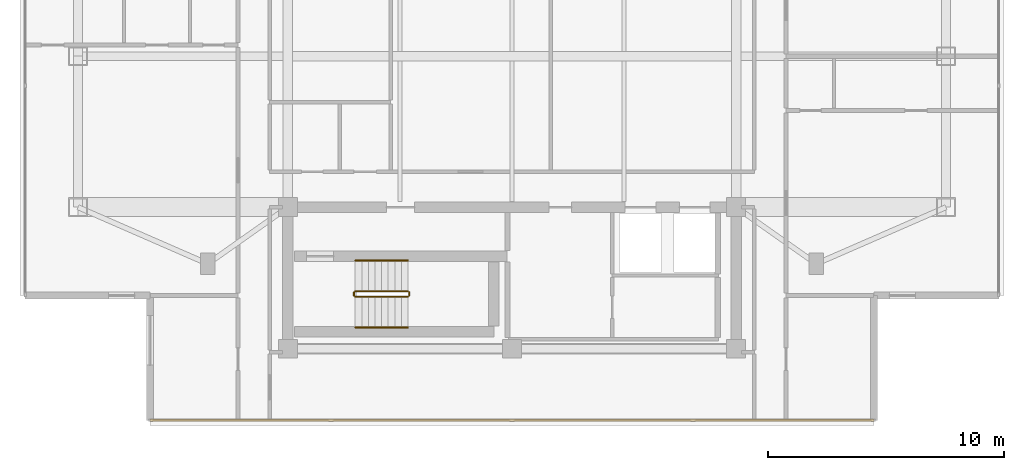
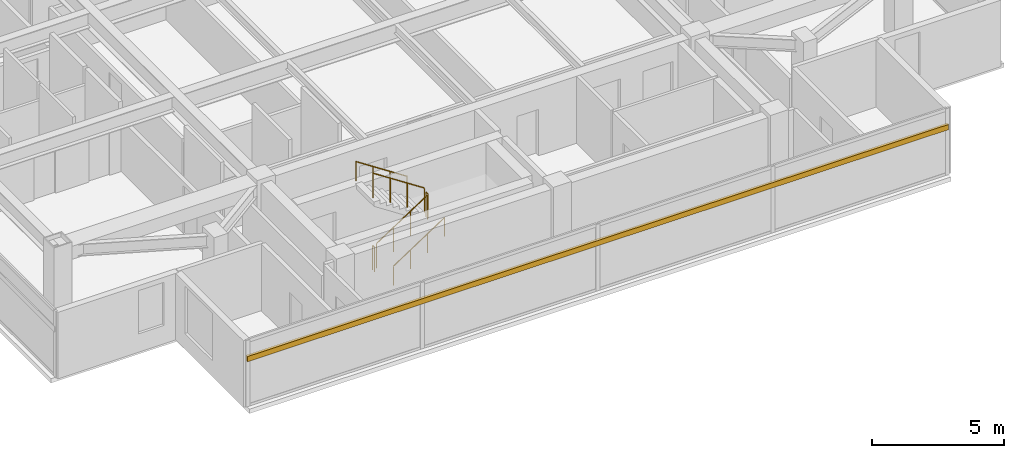
# One storey, part 10 of 12: 6 railings, 1 shading device.
"""IFC4 building model written with IfcOpenShell, lengths in metres."""

import ifcopenshell
import ifcopenshell.guid

model = None  # the IFC model being written
_history = None  # IfcOwnerHistory: only IFC2X3 demands one
_inside = {}  # id of a spatial element -> (the spatial element, [elements in it])
_under = {}  # id of a project, library or spatial element -> (it, [spatial elements below it])
_declared = {}  # id of a project -> (the project, [libraries it declares])
_typed = {}  # id of a type object -> (the type object, [elements of that type])
_made_of = {}  # id of a material, layer set ... -> (it, [elements and type objects made of it])


def new_model(schema):
    """Start an empty IFC model of exactly this schema.

    Asked for "IFC4X3", IfcOpenShell would pick the latest addendum, in which some entities
    have other attributes; the version numbers below select the first issue.
    IFC2X3 requires an IfcOwnerHistory on every rooted entity: one is made here for all.
    """
    global model, _history
    if schema == "IFC4X3":
        model = ifcopenshell.file(schema_version=(4, 3, 0, 0))
    else:
        model = ifcopenshell.file(schema=schema)
    _inside.clear()
    _under.clear()
    _declared.clear()
    _typed.clear()
    _made_of.clear()
    _history = None
    if model.schema == "IFC2X3":
        org = make("IfcOrganization", Name="unknown")
        user = make(
            "IfcPersonAndOrganization",
            ThePerson=make("IfcPerson", FamilyName="unknown"),
            TheOrganization=org,
        )
        app = make(
            "IfcApplication",
            ApplicationDeveloper=org,
            Version="unknown",
            ApplicationFullName="unknown",
            ApplicationIdentifier="unknown",
        )
        _history = make(
            "IfcOwnerHistory",
            OwningUser=user,
            OwningApplication=app,
            ChangeAction="ADDED",
            CreationDate=0,
        )
    return model


def make(cls, **values):
    """One entity of the class cls with the attributes given. An attribute that is None is left unset."""
    return model.create_entity(
        cls, **{name: value for name, value in values.items() if value is not None}
    )


def rooted(cls, **values):
    """An entity with a GlobalId (a new one), such as an element, a storey or a relation."""
    return make(cls, GlobalId=ifcopenshell.guid.new(), OwnerHistory=_history, **values)


def si_unit(unit_type, name, prefix=None):
    """IfcSIUnit, for example si_unit("LENGTHUNIT", "METRE", prefix="MILLI")."""
    return make("IfcSIUnit", UnitType=unit_type, Prefix=prefix, Name=name)


def assignment(units):
    """IfcUnitAssignment: the units of a project."""
    return None if units is None else make("IfcUnitAssignment", Units=units)


def point(xyz):
    """IfcCartesianPoint."""
    return None if xyz is None else make("IfcCartesianPoint", Coordinates=xyz)


def direction(xyz):
    """IfcDirection."""
    return None if xyz is None else make("IfcDirection", DirectionRatios=xyz)


def frame(location, z_axis=None, x_axis=None):
    """IfcAxis2Placement3D, a coordinate frame: its origin and axes. An axis left out is left unset."""
    return make(
        "IfcAxis2Placement3D",
        Location=point(location),
        Axis=direction(z_axis),
        RefDirection=direction(x_axis),
    )


def frame_2d(location, x_axis=None):
    """IfcAxis2Placement2D, a coordinate frame in the plane: its origin and x axis."""
    return make(
        "IfcAxis2Placement2D", Location=point(location), RefDirection=direction(x_axis)
    )


def origin():
    """The frame at (0, 0, 0) with its axes left unset."""
    return frame((0.0, 0.0, 0.0))


def origin_2d():
    """The frame at (0, 0) in the plane with its x axis left unset."""
    return frame_2d((0.0, 0.0))


def place(relative_to, where):
    """IfcLocalPlacement: puts the frame where relative to a parent placement (None: the world)."""
    return make(
        "IfcLocalPlacement", PlacementRelTo=relative_to, RelativePlacement=where
    )


def context(
    kind, dimensions, precision=None, world=None, true_north=None, identifier=None
):
    """IfcGeometricRepresentationContext, for example the 3D "Model" context."""
    return make(
        "IfcGeometricRepresentationContext",
        ContextIdentifier=identifier,
        ContextType=kind,
        CoordinateSpaceDimension=dimensions,
        Precision=precision,
        WorldCoordinateSystem=world,
        TrueNorth=true_north,
    )


def subcontext(parent, identifier, kind, view, scale=None):
    """IfcGeometricRepresentationSubContext, for example "Body" below "Model"."""
    return make(
        "IfcGeometricRepresentationSubContext",
        ContextIdentifier=identifier,
        ContextType=kind,
        ParentContext=parent,
        TargetScale=scale,
        TargetView=view,
    )


def project(units=None, contexts=None):
    """IfcProject with its units and contexts."""
    return rooted(
        "IfcProject",
        Name="project",
        RepresentationContexts=contexts,
        UnitsInContext=assignment(units),
    )


def spatial(cls, under=None, at=None, **own):
    """A site, building, storey or space (cls), placed at a placement, below another one or the project."""
    s = rooted(cls, ObjectPlacement=at, **own)
    if under is not None:
        _under.setdefault(under.id(), (under, []))[1].append(s)
    return s


def profile(cls, at=None, kind="AREA", **sizes):
    """A parametric profile (cls). Its sizes go by their IFC names, for example OverallWidth=200.0."""
    return make(cls, ProfileType=kind, Position=at, **sizes)


def rectangle(**sizes):
    """IfcRectangleProfileDef."""
    return profile("IfcRectangleProfileDef", **sizes)


def circle(**sizes):
    """IfcCircleProfileDef."""
    return profile("IfcCircleProfileDef", **sizes)


def extrude(swept, where, along, depth):
    """IfcExtrudedAreaSolid: the profile swept, set in the frame where, extruded along a direction by depth."""
    return make(
        "IfcExtrudedAreaSolid",
        SweptArea=swept,
        Position=where,
        ExtrudedDirection=direction(along),
        Depth=depth,
    )


def shape(context_of_items, identifier, shape_type, items):
    """IfcShapeRepresentation: the items that make up one representation, for example the "Body"."""
    return make(
        "IfcShapeRepresentation",
        ContextOfItems=context_of_items,
        RepresentationIdentifier=identifier,
        RepresentationType=shape_type,
        Items=items,
    )


def material(Name=None, Category=None):
    """IfcMaterial."""
    return make("IfcMaterial", Name=Name, Category=Category)


def material_profile(
    of_material, cross_section, Name=None, Category=None, Priority=None
):
    """IfcMaterialProfile: a cross section and its material."""
    return make(
        "IfcMaterialProfile",
        Name=Name,
        Material=of_material,
        Profile=cross_section,
        Priority=Priority,
        Category=Category,
    )


def profile_set(profiles, Name=None, composite=None):
    """IfcMaterialProfileSet."""
    return make(
        "IfcMaterialProfileSet",
        Name=Name,
        MaterialProfiles=profiles,
        CompositeProfile=composite,
    )


def made_of(thing, what):
    """Note that an element or type object is made of a material, layer set ...; save() writes the relation."""
    if what is not None:
        _made_of.setdefault(what.id(), (what, []))[1].append(thing)
    return thing


def type_object(cls, material=None, **own):
    """A type object (cls), such as IfcWallType, which elements share."""
    return made_of(rooted(cls, **own), material)


def element(
    cls,
    number,
    at=None,
    inside=None,
    cuts=None,
    type_object=None,
    material=None,
    context=None,
    identifier="Body",
    shape_type=None,
    held_by="IfcProductDefinitionShape",
    body=None,
    shapes=None,
    **own,
):
    """One element of the class cls, such as IfcWall. Its Tag is "e" and its number.

    at: its placement. inside: the storey or other place that contains it. cuts: it is an
    opening in that element (IfcRelVoidsElement). A single representation is given by context,
    identifier, shape_type and body (its items); several are given by shapes. held_by: the class
    of the entity that holds the representations. save() writes the other relations.
    """
    e = rooted(cls, Tag="e%d" % number, ObjectPlacement=at, **own)
    if body is not None:
        shapes = [shape(context, identifier, shape_type, body)]
    if shapes is not None:
        e.Representation = make(held_by, Representations=shapes)
    if inside is not None:
        _inside.setdefault(inside.id(), (inside, []))[1].append(e)
    if cuts is not None:
        rooted(
            "IfcRelVoidsElement", RelatingBuildingElement=cuts, RelatedOpeningElement=e
        )
    if type_object is not None:
        _typed.setdefault(type_object.id(), (type_object, []))[1].append(e)
    return made_of(e, material)


def aggregate(whole, parts):
    """IfcRelAggregates: a whole, such as a stair, and the parts it consists of."""
    return rooted("IfcRelAggregates", RelatingObject=whole, RelatedObjects=parts)


def save(model, path):
    """Write the relations noted so far, then the file.

    IfcRelAggregates (storeys below a building ...), IfcRelContainedInSpatialStructure (elements
    in a storey), IfcRelDefinesByType, IfcRelAssociatesMaterial and IfcRelDeclares: one each for
    every whole, place, type object, material and project.
    """
    for whole, parts in _under.values():
        aggregate(whole, parts)
    for where, things in _inside.values():
        rooted(
            "IfcRelContainedInSpatialStructure",
            RelatedElements=things,
            RelatingStructure=where,
        )
    for kind, things in _typed.values():
        rooted("IfcRelDefinesByType", RelatedObjects=things, RelatingType=kind)
    for what, things in _made_of.values():
        rooted("IfcRelAssociatesMaterial", RelatedObjects=things, RelatingMaterial=what)
    for by, libraries in _declared.values():
        rooted("IfcRelDeclares", RelatingContext=by, RelatedDefinitions=libraries)
    model.write(path)


model = new_model("IFC4")

# Units and contexts
model_context = context("Model", 3, precision=1e-05, world=origin(), true_north=direction((0.0, 1.0)))
body_context = subcontext(model_context, "Body", "Model", "MODEL_VIEW")
ifc_project = project(units=[si_unit("LENGTHUNIT", "METRE"), si_unit("AREAUNIT", "SQUARE_METRE"), si_unit("VOLUMEUNIT", "CUBIC_METRE"), si_unit("PLANEANGLEUNIT", "RADIAN"), si_unit("MASSUNIT", "GRAM", prefix="KILO")], contexts=[model_context])

# Site, building, storey
site_placement = place(None, origin())
site = spatial("IfcSite", under=ifc_project, at=site_placement, CompositionType="ELEMENT")
building_placement = place(site_placement, origin())
building = spatial("IfcBuilding", under=site, at=building_placement, Name="Mirazonda Arch Towers", CompositionType="ELEMENT")
storey_placement = place(building_placement, frame((0.0, 0.0, 226.0)))
storey = spatial("IfcBuildingStorey", under=building, at=storey_placement, Name="L64", CompositionType="ELEMENT", Elevation=226.0)

# Shading device
ifc_material_1 = material(Name="Kiln-Fired Architectural Terracotta", Category="masonry")
ifc_material_profile = material_profile(ifc_material_1, rectangle(XDim=0.1201171875, YDim=0.239990234375, at=origin_2d()), Name="TERRA-BAG-120x240")
ifc_profile_set = profile_set([ifc_material_profile], Name="Kiln-Fired Architectural Terracotta")
shading_device_type = type_object("IfcShadingDeviceType", Name="BAGUETTE-1", PredefinedType="USERDEFINED", material=ifc_profile_set)
shading_device_placement = place(storey_placement, frame((35.85009765625, 9.364013671875, 2.217529296875), z_axis=(-1.0, 0.0, 0.0), x_axis=(0.0, -1.0, 0.0)))
element("IfcShadingDevice", 1, at=shading_device_placement, inside=storey, type_object=shading_device_type, Name="L64 Glazed Terracotta Sun-Screen Baguette CW-L64-T1-S", ObjectType="BAGUETTE", PredefinedType="USERDEFINED", context=body_context, shape_type="SweptSolid", body=[
    extrude(rectangle(XDim=0.1201171875, YDim=0.239990234375, at=origin_2d()), origin(), (0.0, 0.0, 1.0), 30.7001953125),
])

# Railings
ifc_material_2 = material(Name="Architectural Brushed Steel S355", Category="steel")
railing_type_1 = type_object("IfcRailingType", Name="GUARD-STAIR-1120", PredefinedType="GUARDRAIL", material=ifc_material_2)
railing_1_placement = place(storey_placement, frame((13.85009765625, 14.60009765625, 0.183349609375)))
element("IfcRailing", 2, at=railing_1_placement, inside=storey, type_object=railing_type_1, Name="L64 ST-T1S stair guard 1", PredefinedType="GUARDRAIL", context=body_context, shape_type="SweptSolid", body=[
    extrude(circle(Radius=0.02392578125, at=origin_2d()), frame((0.0, 0.0, 1.1259765625), z_axis=(0.836636935527, 0.0, 0.547757827979), x_axis=(0.0, 1.0, 0.0)), (0.0, 0.0, 1.0), 2.677490234375),
    extrude(circle(Radius=0.02099609375, at=origin_2d()), origin(), (0.0, 0.0, 1.0), 1.101806640625),
    extrude(circle(Radius=0.02099609375, at=origin_2d()), frame((0.74658203125, 0.0, 0.48876953125)), (0.0, 0.0, 1.0), 1.101806640625),
    extrude(circle(Radius=0.02099609375, at=origin_2d()), frame((1.493408203125, 0.0, 0.977783203125)), (0.0, 0.0, 1.0), 1.101806640625),
    extrude(circle(Radius=0.02099609375, at=origin_2d()), frame((2.239990234375, 0.0, 1.466552734375)), (0.0, 0.0, 1.0), 1.101806640625),
])
railing_2_placement = place(storey_placement, frame((16.139892578125, 14.64990234375, 1.64990234375)))
element("IfcRailing", 3, at=railing_2_placement, inside=storey, type_object=railing_type_1, Name="L64 ST-T1S stair guard 2", PredefinedType="GUARDRAIL", context=body_context, shape_type="SweptSolid", body=[
    extrude(circle(Radius=0.02392578125, at=origin_2d()), frame((0.0, 0.0, 1.1259765625), z_axis=(0.0, 1.0, 0.0), x_axis=(-1.0, 0.0, 0.0)), (0.0, 0.0, 1.0), 0.14013671875),
    extrude(circle(Radius=0.02099609375, at=origin_2d()), origin(), (0.0, 0.0, 1.0), 1.101806640625),
    extrude(circle(Radius=0.02099609375, at=origin_2d()), frame((0.0, 0.14013671875, 0.0)), (0.0, 0.0, 1.0), 1.101806640625),
])
railing_3_placement = place(storey_placement, frame((16.090087890625, 14.840087890625, 1.833251953125)))
element("IfcRailing", 4, at=railing_3_placement, inside=storey, type_object=railing_type_1, Name="L64 ST-T1S stair guard 3", PredefinedType="GUARDRAIL", context=body_context, shape_type="SweptSolid", body=[
    extrude(circle(Radius=0.02392578125, at=origin_2d()), frame((0.0, 0.0, 1.1259765625), z_axis=(-0.836595146698, 0.0, 0.547821650285), x_axis=(0.0, -1.0, 0.0)), (0.0, 0.0, 1.0), 2.677490234375),
    extrude(circle(Radius=0.02099609375, at=origin_2d()), origin(), (0.0, 0.0, 1.0), 1.101806640625),
    extrude(circle(Radius=0.02099609375, at=origin_2d()), frame((-0.74658203125, 0.0, 0.489013671875)), (0.0, 0.0, 1.0), 1.101806640625),
    extrude(circle(Radius=0.02099609375, at=origin_2d()), frame((-1.493408203125, 0.0, 0.977783203125)), (0.0, 0.0, 1.0), 1.101806640625),
    extrude(circle(Radius=0.02099609375, at=origin_2d()), frame((-2.239990234375, 0.0, 1.466796875)), (0.0, 0.0, 1.0), 1.101806640625),
])
railing_4_placement = place(storey_placement, frame((13.800048828125, 14.64990234375, 0.0)))
element("IfcRailing", 5, at=railing_4_placement, inside=storey, type_object=railing_type_1, Name="L64 ST-T1S stair guard 4", PredefinedType="GUARDRAIL", context=body_context, shape_type="SweptSolid", body=[
    extrude(circle(Radius=0.02392578125, at=origin_2d()), frame((0.0, 0.0, 1.1259765625), z_axis=(0.0, 1.0, 0.0), x_axis=(-1.0, 0.0, 0.0)), (0.0, 0.0, 1.0), 0.14013671875),
    extrude(circle(Radius=0.02099609375, at=origin_2d()), origin(), (0.0, 0.0, 1.0), 1.101806640625),
    extrude(circle(Radius=0.02099609375, at=origin_2d()), frame((0.0, 0.14013671875, 0.0)), (0.0, 0.0, 1.0), 1.101806640625),
])
railing_type_2 = type_object("IfcRailingType", Name="HANDRAIL-915", PredefinedType="HANDRAIL", material=ifc_material_2)
railing_5_placement = place(storey_placement, frame((13.85009765625, 13.300048828125, 0.183349609375)))
element("IfcRailing", 6, at=railing_5_placement, inside=storey, type_object=railing_type_2, Name="L64 ST-T1S stair handrail 1", PredefinedType="HANDRAIL", context=body_context, shape_type="SweptSolid", body=[
    extrude(circle(Radius=0.02392578125, at=origin_2d()), frame((0.0, 0.0, 0.8759765625), z_axis=(0.836636935527, 0.0, 0.547757827979), x_axis=(0.0, 1.0, 0.0)), (0.0, 0.0, 1.0), 2.677490234375),
    extrude(circle(Radius=0.02099609375, at=origin_2d()), origin(), (0.0, 0.0, 1.0), 0.851806640625),
    extrude(circle(Radius=0.02099609375, at=origin_2d()), frame((0.74658203125, 0.0, 0.48876953125)), (0.0, 0.0, 1.0), 0.851806640625),
    extrude(circle(Radius=0.02099609375, at=origin_2d()), frame((1.493408203125, 0.0, 0.977783203125)), (0.0, 0.0, 1.0), 0.851806640625),
    extrude(circle(Radius=0.02099609375, at=origin_2d()), frame((2.239990234375, 0.0, 1.466552734375)), (0.0, 0.0, 1.0), 0.851806640625),
])
railing_6_placement = place(storey_placement, frame((16.090087890625, 16.139892578125, 1.833251953125)))
element("IfcRailing", 7, at=railing_6_placement, inside=storey, type_object=railing_type_2, Name="L64 ST-T1S stair handrail 2", PredefinedType="HANDRAIL", context=body_context, shape_type="SweptSolid", body=[
    extrude(circle(Radius=0.02392578125, at=origin_2d()), frame((0.0, 0.0, 0.8759765625), z_axis=(-0.836595146698, 0.0, 0.547821650285), x_axis=(0.0, -1.0, 0.0)), (0.0, 0.0, 1.0), 2.677490234375),
    extrude(circle(Radius=0.02099609375, at=origin_2d()), origin(), (0.0, 0.0, 1.0), 0.851806640625),
    extrude(circle(Radius=0.02099609375, at=origin_2d()), frame((-0.74658203125, 0.0, 0.489013671875)), (0.0, 0.0, 1.0), 0.851806640625),
    extrude(circle(Radius=0.02099609375, at=origin_2d()), frame((-1.493408203125, 0.0, 0.977783203125)), (0.0, 0.0, 1.0), 0.851806640625),
    extrude(circle(Radius=0.02099609375, at=origin_2d()), frame((-2.239990234375, 0.0, 1.466796875)), (0.0, 0.0, 1.0), 0.851806640625),
])

save(model, "model.ifc")
